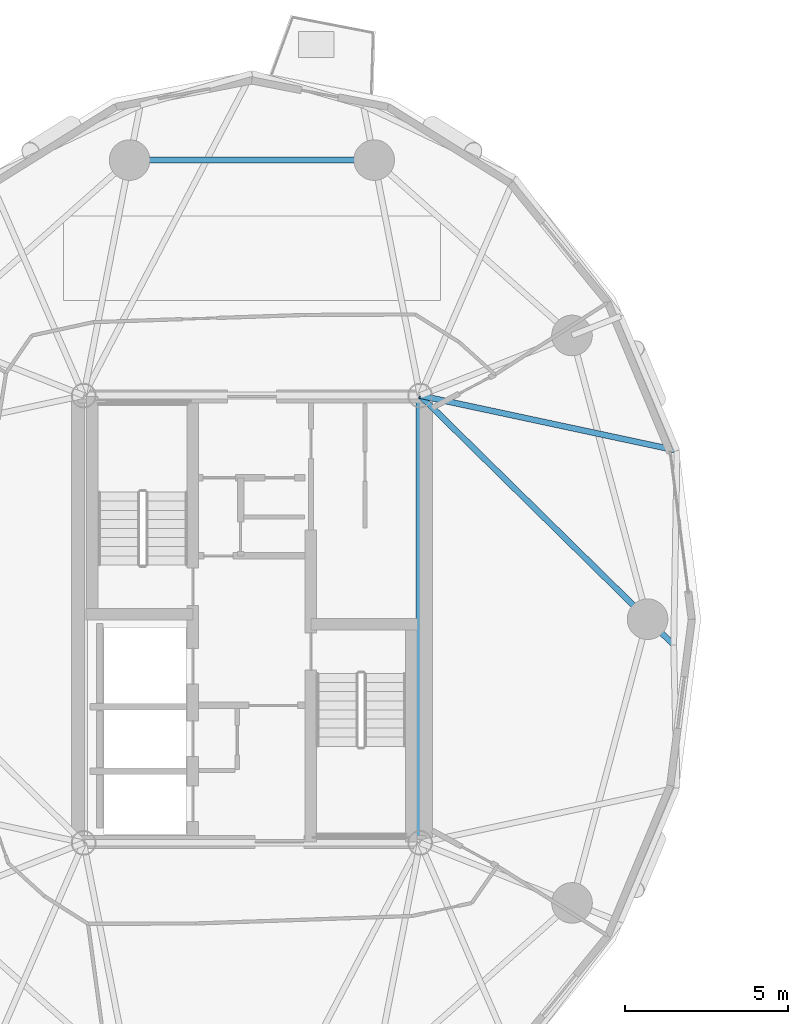
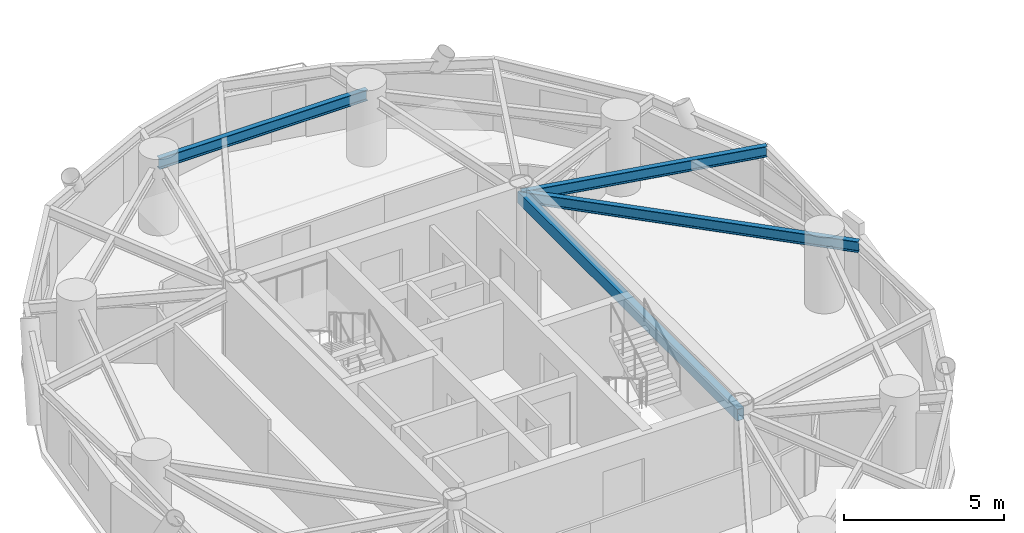
# One storey, part 2 of 15: 4 beams.
"""IFC4 building model written with IfcOpenShell, lengths in metres."""

from ifc_helpers import new_model, si_unit, direction, frame, origin, origin_2d, place, context, subcontext, project, spatial, hollow_rectangle, i_section, extrude, material, material_profile, profile_set, type_object, element, save


model = new_model("IFC4")

# Units and contexts
model_context = context("Model", 3, precision=1e-05, world=origin(), true_north=direction((0.0, 1.0)))
body_context = subcontext(model_context, "Body", "Model", "MODEL_VIEW")
ifc_project = project(units=[si_unit("LENGTHUNIT", "METRE"), si_unit("AREAUNIT", "SQUARE_METRE"), si_unit("VOLUMEUNIT", "CUBIC_METRE"), si_unit("PLANEANGLEUNIT", "RADIAN"), si_unit("MASSUNIT", "GRAM", prefix="KILO")], contexts=[model_context])

# Site, building, storey
site_placement = place(None, origin())
site = spatial("IfcSite", under=ifc_project, at=site_placement, CompositionType="ELEMENT")
building_placement = place(site_placement, origin())
building = spatial("IfcBuilding", under=site, at=building_placement, Name="Cununo Teusaquillo Station Towers", CompositionType="ELEMENT")
storey_placement = place(building_placement, frame((0.0, 0.0, 189.429931640625)))
storey = spatial("IfcBuildingStorey", under=building, at=storey_placement, Name="L60", CompositionType="ELEMENT", Elevation=189.429931640625)

# Beams
ifc_material_1 = material(Name="Steel EN 10025-2 S355J2", Category="steel")
ifc_material_profile_1 = material_profile(ifc_material_1, hollow_rectangle(XDim=0.25, YDim=0.449951171875, WallThickness=0.01611328125, at=origin_2d()), Name="RHS 450x250x16")
ifc_profile_set_1 = profile_set([ifc_material_profile_1], Name="Steel EN 10025-2 S355J2")
beam_type_1 = type_object("IfcBeamType", Name="BM-COUP-1", PredefinedType="USERDEFINED", material=ifc_profile_set_1)
beam_1_placement = place(storey_placement, frame((21.675048828125, 17.6201171875, 2.344970703125), z_axis=(0.0, 1.0, 0.0), x_axis=(-1.0, 0.0, 0.0)))
element("IfcBeam", 1, at=beam_1_placement, inside=storey, type_object=beam_type_1, Name="L60 Tower A Core Beam 2", ObjectType="COUPLING BEAM", PredefinedType="USERDEFINED", context=body_context, shape_type="SweptSolid", body=[
    extrude(hollow_rectangle(XDim=0.25, YDim=0.449951171875, WallThickness=0.01611328125, at=origin_2d()), origin(), (0.0, 0.0, 1.0), 13.759765625),
])
ifc_material_2 = material(Name="Steel ASTM A572 Grade 50", Category="steel")
ifc_material_profile_2 = material_profile(ifc_material_2, i_section(OverallWidth=0.180908203125, OverallDepth=0.4169921875, WebThickness=0.010986328125, FlangeThickness=0.018310546875, FilletRadius=0.012939453125, at=origin_2d()), Name="W16X57")
ifc_profile_set_2 = profile_set([ifc_material_profile_2], Name="Steel ASTM A572 Grade 50")
beam_type_2 = type_object("IfcBeamType", Name="BM-JOIST-1", PredefinedType="JOIST", material=ifc_profile_set_2)
beam_2_placement = place(storey_placement, frame((21.675048828125, 31.3798828125, 2.361572265625), z_axis=(0.977854548984, -0.209285644589, 0.0), x_axis=(0.209285644589, 0.977854548984, 0.0)))
element("IfcBeam", 2, at=beam_2_placement, inside=storey, type_object=beam_type_2, Name="L60 Tower A Radial Spandrel Joist V01", PredefinedType="JOIST", context=body_context, shape_type="SweptSolid", body=[
    extrude(i_section(OverallWidth=0.180908203125, OverallDepth=0.4169921875, WebThickness=0.010986328125, FlangeThickness=0.018310546875, FilletRadius=0.012939453125, at=origin_2d()), origin(), (0.0, 0.0, 1.0), 8.081787109375),
])
ifc_material_3 = material(Name="Steel ASTM A572 Grade 50", Category="steel")
ifc_material_profile_3 = material_profile(ifc_material_3, i_section(OverallWidth=0.180908203125, OverallDepth=0.4169921875, WebThickness=0.010986328125, FlangeThickness=0.018310546875, FilletRadius=0.012939453125, at=origin_2d()), Name="W16X57")
ifc_profile_set_3 = profile_set([ifc_material_profile_3], Name="Steel ASTM A572 Grade 50")
beam_type_3 = type_object("IfcBeamType", Name="BM-RAD-G2", PredefinedType="BEAM", material=ifc_profile_set_3)
beam_3_placement = place(storey_placement, frame((21.675048828125, 31.3798828125, 2.361572265625), z_axis=(0.713051946152, -0.701111205223, 0.0), x_axis=(0.701111205223, 0.713051946152, 0.0)))
element("IfcBeam", 3, at=beam_3_placement, inside=storey, type_object=beam_type_3, Name="L60 Tower A Continuous Overhanging Radial Girder 01", PredefinedType="BEAM", context=body_context, shape_type="SweptSolid", body=[
    extrude(i_section(OverallWidth=0.180908203125, OverallDepth=0.4169921875, WebThickness=0.010986328125, FlangeThickness=0.018310546875, FilletRadius=0.012939453125, at=origin_2d()), origin(), (0.0, 0.0, 1.0), 10.938720703125),
])
ifc_material_4 = material(Name="Steel ASTM A572 Grade 50", Category="steel")
ifc_material_profile_4 = material_profile(ifc_material_4, i_section(OverallWidth=0.180908203125, OverallDepth=0.4169921875, WebThickness=0.010986328125, FlangeThickness=0.018310546875, FilletRadius=0.012939453125, at=origin_2d()), Name="W16X57")
ifc_profile_set_4 = profile_set([ifc_material_profile_4], Name="Steel ASTM A572 Grade 50")
beam_type_4 = type_object("IfcBeamType", Name="BM-RING-Z3", PredefinedType="SPANDREL", material=ifc_profile_set_4)
beam_4_placement = place(storey_placement, frame((20.261474609375, 38.623291015625, 2.361572265625), z_axis=(-1.0, 0.0, 0.0), x_axis=(0.0, -1.0, 0.0)))
element("IfcBeam", 4, at=beam_4_placement, inside=storey, type_object=beam_type_4, Name="L60 Tower A Structural Column Ring Girder 03", PredefinedType="SPANDREL", context=body_context, shape_type="SweptSolid", body=[
    extrude(i_section(OverallWidth=0.180908203125, OverallDepth=0.4169921875, WebThickness=0.010986328125, FlangeThickness=0.018310546875, FilletRadius=0.012939453125, at=origin_2d()), origin(), (0.0, 0.0, 1.0), 7.52294921875),
])

save(model, "model.ifc")
